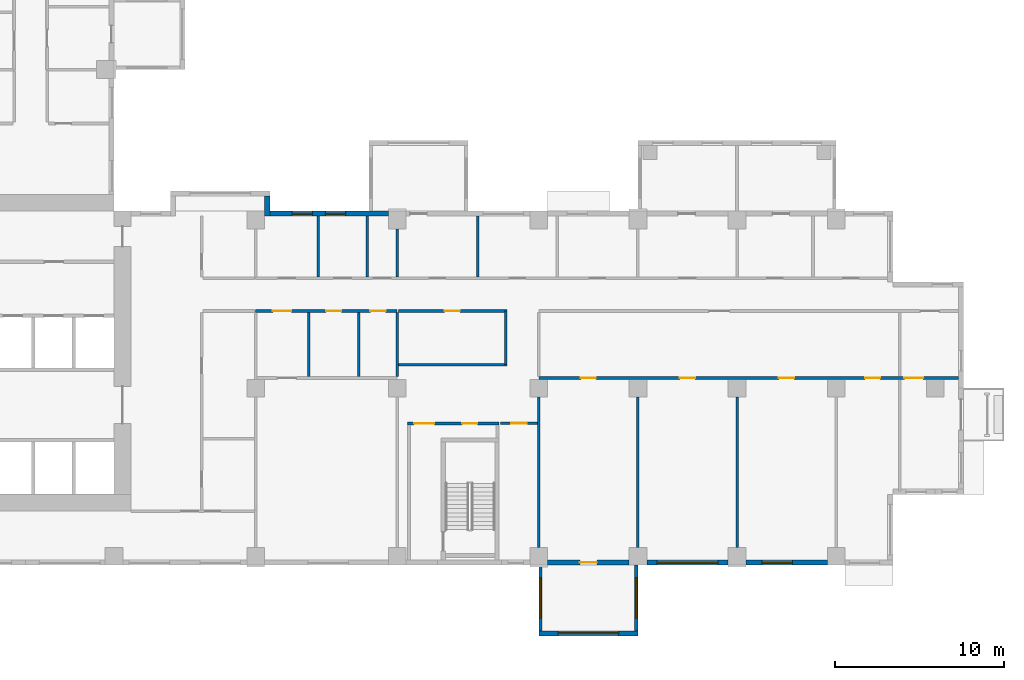
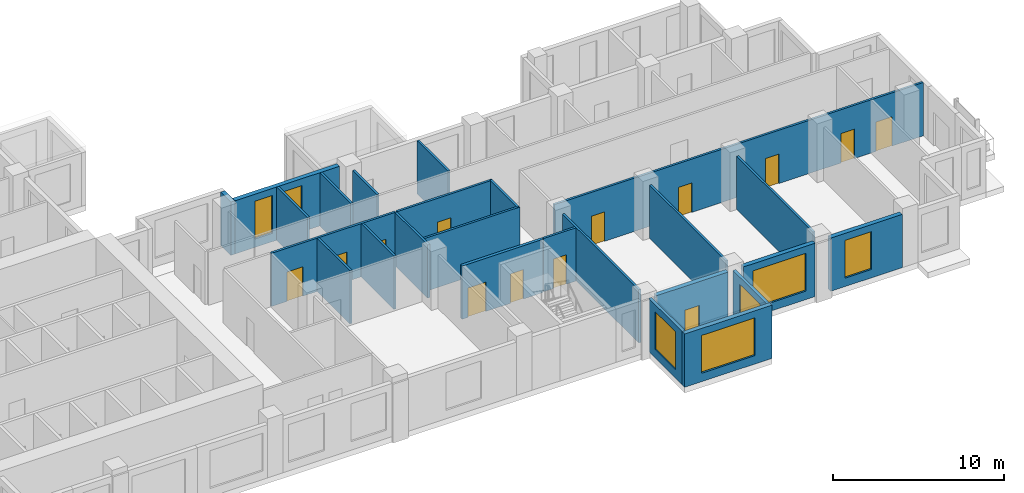
# One storey, part 6 of 16: 25 walls, 13 doors, 7 windows, 20 openings.
"""IFC4 building model written with IfcOpenShell, lengths in metres."""

from ifc_helpers import new_model, si_unit, direction, frame, frame_2d, origin, place, context, subcontext, project, spatial, rectangle, extrude, source, transform, mapped, material, layer, layer_set, type_object, element, fill, save


model = new_model("IFC4")

# Units and contexts
model_context = context("Model", 3, precision=1e-05, world=origin(), true_north=direction((0.0, 1.0)))
body_context = subcontext(model_context, "Body", "Model", "MODEL_VIEW")
ifc_project = project(units=[si_unit("LENGTHUNIT", "METRE"), si_unit("AREAUNIT", "SQUARE_METRE"), si_unit("VOLUMEUNIT", "CUBIC_METRE"), si_unit("PLANEANGLEUNIT", "RADIAN"), si_unit("MASSUNIT", "GRAM", prefix="KILO")], contexts=[model_context])

# Site, building, storey
site_placement = place(None, origin())
site = spatial("IfcSite", under=ifc_project, at=site_placement, CompositionType="ELEMENT")
building_placement = place(site_placement, origin())
building = spatial("IfcBuilding", under=site, at=building_placement, Name="Aurelian Terraces", CompositionType="ELEMENT")
storey_placement = place(building_placement, frame((0.0, 0.0, 124.5)))
storey = spatial("IfcBuildingStorey", under=building, at=storey_placement, Name="L27", CompositionType="ELEMENT", Elevation=124.5)

# Wall
ifc_material_1 = material(Name="Terracotta rainscreen cladding", Category="masonry")
ifc_layer_1 = layer(ifc_material_1, 0.3)
ifc_layer_set_1 = layer_set([ifc_layer_1], Name="EW-300")
wall_type_1 = type_object("IfcWallType", Name="EW-300", PredefinedType="STANDARD", material=ifc_layer_set_1)
shared_shape_1 = source(origin(), body_context, "Body", "SweptSolid", [
    extrude(rectangle(XDim=1.2, YDim=0.3, at=frame_2d((0.6, 0.0))), origin(), (0.0, 0.0, 1.0), 3.8),
])
wall_1_placement = place(storey_placement, frame((30.09, 20.7, 0.0), z_axis=(0.0, 0.0, 1.0), x_axis=(0.0, 1.0, 0.0)))
element("IfcWall", 1, at=wall_1_placement, inside=storey, type_object=wall_type_1, Name="Bay return L27 F07.22.1", PredefinedType="STANDARD", context=body_context, shape_type="MappedRepresentation", body=[
    mapped(shared_shape_1, transform((0.0, 0.0, 0.0), scale=1.0)),
])

# Wall, opening, window
ifc_material_2 = material(Name="Concrete fc' 40 MPa", Category="concrete")
ifc_layer_2 = layer(ifc_material_2, 0.2)
ifc_layer_set_2 = layer_set([ifc_layer_2], Name="BOX BEARING WALL 200")
wall_type_2 = type_object("IfcWallType", Name="BOX BEARING WALL 200", PredefinedType="SOLIDWALL", material=ifc_layer_set_2)
shared_shape_2 = source(origin(), body_context, "Body", "SweptSolid", [
    extrude(rectangle(XDim=3.9, YDim=0.2, at=frame_2d((1.95, 0.0))), origin(), (0.0, 0.0, 1.0), 3.8),
])
wall_2_placement = place(storey_placement, frame((46.3, 0.0, 0.0), z_axis=(0.0, 0.0, 1.0), x_axis=(0.0, -1.0, 0.0)))
wall_2 = element("IfcWall", 2, at=wall_2_placement, inside=storey, type_object=wall_type_2, Name="Box return L27 J36.1", PredefinedType="SOLIDWALL", context=body_context, shape_type="MappedRepresentation", body=[
    mapped(shared_shape_2, transform((0.0, 0.0, 0.0), scale=1.0)),
])
shared_shape_3 = source(origin(), body_context, "Body", "SweptSolid", [
    extrude(rectangle(XDim=2.4, YDim=2.7, at=frame_2d((1.2, 1.35))), frame((0.0, 0.11, 0.0), z_axis=(0.0, -1.0, 0.0), x_axis=(1.0, 0.0, 0.0)), (0.0, 0.0, 1.0), 0.22),
])
opening_1_placement = place(wall_2_placement, frame((0.75, 0.0, 0.6)))
opening_1 = element("IfcOpeningElement", 3, at=opening_1_placement, cuts=wall_2, Name="Opening W2427", PredefinedType="OPENING", context=body_context, shape_type="MappedRepresentation", body=[
    mapped(shared_shape_3, transform((0.0, 0.0, 0.0), scale=1.0)),
])
ifc_material_3 = material(Name="Clear glazing", Category="glass")
window_type_1 = type_object("IfcWindowType", Name="W-2400x2700", PartitioningType="SINGLE_PANEL", PredefinedType="WINDOW", material=ifc_material_3)
shared_shape_4 = source(origin(), body_context, "Body", "SweptSolid", [
    extrude(rectangle(XDim=2.4, YDim=2.7, at=frame_2d((1.2, 1.35))), frame((0.0, 0.03, 0.0), z_axis=(0.0, -1.0, 0.0), x_axis=(1.0, 0.0, 0.0)), (0.0, 0.0, 1.0), 0.06),
])
window_1_placement = place(opening_1_placement, origin())
window_1 = element("IfcWindow", 4, at=window_1_placement, inside=storey, type_object=window_type_1, Name="Window L27 J36-S1", OverallHeight=2.7, OverallWidth=2.4, PartitioningType="SINGLE_PANEL", PredefinedType="WINDOW", context=body_context, shape_type="MappedRepresentation", body=[
    mapped(shared_shape_4, transform((0.0, 0.0, 0.0), scale=1.0)),
])
fill(opening_1, window_1)

wall_3_placement = place(storey_placement, frame((51.98, 0.0, 0.0), z_axis=(0.0, 0.0, 1.0), x_axis=(0.0, -1.0, 0.0)))
wall_3 = element("IfcWall", 5, at=wall_3_placement, inside=storey, type_object=wall_type_2, Name="Box return L27 J36.2", PredefinedType="SOLIDWALL", context=body_context, shape_type="MappedRepresentation", body=[
    mapped(shared_shape_2, transform((0.0, 0.0, 0.0), scale=1.0)),
])
opening_2_placement = place(wall_3_placement, frame((0.75, 0.0, 0.6)))
opening_2 = element("IfcOpeningElement", 6, at=opening_2_placement, cuts=wall_3, Name="Opening W2427", PredefinedType="OPENING", context=body_context, shape_type="MappedRepresentation", body=[
    mapped(shared_shape_3, transform((0.0, 0.0, 0.0), scale=1.0)),
])
window_2_placement = place(opening_2_placement, origin())
window_2 = element("IfcWindow", 7, at=window_2_placement, inside=storey, type_object=window_type_1, Name="Window L27 J36-S2", OverallHeight=2.7, OverallWidth=2.4, PartitioningType="SINGLE_PANEL", PredefinedType="WINDOW", context=body_context, shape_type="MappedRepresentation", body=[
    mapped(shared_shape_4, transform((0.0, 0.0, 0.0), scale=1.0)),
])
fill(opening_2, window_2)

ifc_layer_3 = layer(ifc_material_2, 0.3)
ifc_layer_set_3 = layer_set([ifc_layer_3], Name="BOX BEARING WALL 300")
wall_type_3 = type_object("IfcWallType", Name="BOX BEARING WALL 300", PredefinedType="SOLIDWALL", material=ifc_layer_set_3)
shared_shape_5 = source(origin(), body_context, "Body", "SweptSolid", [
    extrude(rectangle(XDim=5.88, YDim=0.3, at=frame_2d((2.94, 0.0))), origin(), (0.0, 0.0, 1.0), 3.8),
])
wall_4_placement = place(storey_placement, frame((46.2, -4.05, 0.0), z_axis=(0.0, 0.0, 1.0), x_axis=(1.0, 0.0, 0.0)))
wall_4 = element("IfcWall", 8, at=wall_4_placement, inside=storey, type_object=wall_type_3, Name="Box wall L27 J36", PredefinedType="SOLIDWALL", context=body_context, shape_type="MappedRepresentation", body=[
    mapped(shared_shape_5, transform((0.0, 0.0, 0.0), scale=1.0)),
])
shared_shape_6 = source(origin(), body_context, "Body", "SweptSolid", [
    extrude(rectangle(XDim=3.6, YDim=2.7, at=frame_2d((1.8, 1.35))), frame((0.0, 0.16, 0.0), z_axis=(0.0, -1.0, 0.0), x_axis=(1.0, 0.0, 0.0)), (0.0, 0.0, 1.0), 0.32),
])
opening_3_placement = place(wall_4_placement, frame((1.14, 0.0, 0.6)))
opening_3 = element("IfcOpeningElement", 9, at=opening_3_placement, cuts=wall_4, Name="Opening W3627", PredefinedType="OPENING", context=body_context, shape_type="MappedRepresentation", body=[
    mapped(shared_shape_6, transform((0.0, 0.0, 0.0), scale=1.0)),
])
window_type_2 = type_object("IfcWindowType", Name="W-3600x2700", PartitioningType="SINGLE_PANEL", PredefinedType="WINDOW", material=ifc_material_3)
shared_shape_7 = source(origin(), body_context, "Body", "SweptSolid", [
    extrude(rectangle(XDim=3.6, YDim=2.7, at=frame_2d((1.8, 1.35))), frame((0.0, 0.03, 0.0), z_axis=(0.0, -1.0, 0.0), x_axis=(1.0, 0.0, 0.0)), (0.0, 0.0, 1.0), 0.06),
])
window_3_placement = place(opening_3_placement, origin())
window_3 = element("IfcWindow", 10, at=window_3_placement, inside=storey, type_object=window_type_2, Name="Window L27 J36-F1", OverallHeight=2.7, OverallWidth=3.6, PartitioningType="SINGLE_PANEL", PredefinedType="WINDOW", context=body_context, shape_type="MappedRepresentation", body=[
    mapped(shared_shape_7, transform((0.0, 0.0, 0.0), scale=1.0)),
])
fill(opening_3, window_3)

# Wall, opening, door
shared_shape_8 = source(origin(), body_context, "Body", "SweptSolid", [
    extrude(rectangle(XDim=4.83, YDim=0.3, at=frame_2d((2.415, 0.0))), origin(), (0.0, 0.0, 1.0), 3.8),
])
wall_5_placement = place(storey_placement, frame((46.725, 0.15, 0.0), z_axis=(0.0, 0.0, 1.0), x_axis=(1.0, 0.0, 0.0)))
wall_5 = element("IfcWall", 11, at=wall_5_placement, inside=storey, type_object=wall_type_1, Name="External wall L27 F01.8", PredefinedType="STANDARD", context=body_context, shape_type="MappedRepresentation", body=[
    mapped(shared_shape_8, transform((0.0, 0.0, 0.0), scale=1.0)),
])
shared_shape_9 = source(origin(), body_context, "Body", "SweptSolid", [
    extrude(rectangle(XDim=1.0, YDim=2.1, at=frame_2d((0.5, 1.05))), frame((0.0, 0.16, 0.0), z_axis=(0.0, -1.0, 0.0), x_axis=(1.0, 0.0, 0.0)), (0.0, 0.0, 1.0), 0.32),
])
opening_4_placement = place(wall_5_placement, frame((1.915, 0.0, 0.0)))
opening_4 = element("IfcOpeningElement", 12, at=opening_4_placement, cuts=wall_5, Name="Opening 827001", PredefinedType="OPENING", context=body_context, shape_type="MappedRepresentation", body=[
    mapped(shared_shape_9, transform((0.0, 0.0, 0.0), scale=1.0)),
])
ifc_material_4 = material(Name="Timber door leaf", Category="wood")
door_type_1 = type_object("IfcDoorType", Name="Room door 1000x2100 left", OperationType="SINGLE_SWING_LEFT", PredefinedType="DOOR", material=ifc_material_4)
shared_shape_10 = source(origin(), body_context, "Body", "SweptSolid", [
    extrude(rectangle(XDim=1.0, YDim=2.1, at=frame_2d((0.5, 1.05))), frame((0.0, 0.025, 0.0), z_axis=(0.0, -1.0, 0.0), x_axis=(1.0, 0.0, 0.0)), (0.0, 0.0, 1.0), 0.05),
])
door_1_placement = place(opening_4_placement, origin())
door_1 = element("IfcDoor", 13, at=door_1_placement, inside=storey, type_object=door_type_1, Name="Door 827001", OperationType="SINGLE_SWING_LEFT", OverallHeight=2.1, OverallWidth=1.0, PredefinedType="DOOR", context=body_context, shape_type="MappedRepresentation", body=[
    mapped(shared_shape_10, transform((0.0, 0.0, 0.0), scale=1.0)),
])
fill(opening_4, door_1)

# Wall, opening, window
wall_6_placement = place(storey_placement, frame((52.605, 0.15, 0.0), z_axis=(0.0, 0.0, 1.0), x_axis=(1.0, 0.0, 0.0)))
wall_6 = element("IfcWall", 14, at=wall_6_placement, inside=storey, type_object=wall_type_1, Name="External wall L27 F01.9", PredefinedType="STANDARD", context=body_context, shape_type="MappedRepresentation", body=[
    mapped(shared_shape_8, transform((0.0, 0.0, 0.0), scale=1.0)),
])
opening_5_placement = place(wall_6_placement, frame((0.615, 0.0, 0.6)))
opening_5 = element("IfcOpeningElement", 15, at=opening_5_placement, cuts=wall_6, Name="Opening W3627", PredefinedType="OPENING", context=body_context, shape_type="MappedRepresentation", body=[
    mapped(shared_shape_6, transform((0.0, 0.0, 0.0), scale=1.0)),
])
window_4_placement = place(opening_5_placement, origin())
window_4 = element("IfcWindow", 16, at=window_4_placement, inside=storey, type_object=window_type_2, Name="Window L27 L27-F01-09-0", OverallHeight=2.7, OverallWidth=3.6, PartitioningType="SINGLE_PANEL", PredefinedType="WINDOW", context=body_context, shape_type="MappedRepresentation", body=[
    mapped(shared_shape_7, transform((0.0, 0.0, 0.0), scale=1.0)),
])
fill(opening_5, window_4)

wall_7_placement = place(storey_placement, frame((58.485, 0.15, 0.0), z_axis=(0.0, 0.0, 1.0), x_axis=(1.0, 0.0, 0.0)))
wall_7 = element("IfcWall", 17, at=wall_7_placement, inside=storey, type_object=wall_type_1, Name="External wall L27 F01.10", PredefinedType="STANDARD", context=body_context, shape_type="MappedRepresentation", body=[
    mapped(shared_shape_8, transform((0.0, 0.0, 0.0), scale=1.0)),
])
shared_shape_11 = source(origin(), body_context, "Body", "SweptSolid", [
    extrude(rectangle(XDim=1.8, YDim=2.7, at=frame_2d((0.9, 1.35))), frame((0.0, 0.16, 0.0), z_axis=(0.0, -1.0, 0.0), x_axis=(1.0, 0.0, 0.0)), (0.0, 0.0, 1.0), 0.32),
])
opening_6_placement = place(wall_7_placement, frame((0.9525, 0.0, 0.6)))
opening_6 = element("IfcOpeningElement", 18, at=opening_6_placement, cuts=wall_7, Name="Opening W1827", PredefinedType="OPENING", context=body_context, shape_type="MappedRepresentation", body=[
    mapped(shared_shape_11, transform((0.0, 0.0, 0.0), scale=1.0)),
])
window_type_3 = type_object("IfcWindowType", Name="W-1800x2700", PartitioningType="SINGLE_PANEL", PredefinedType="WINDOW", material=ifc_material_3)
shared_shape_12 = source(origin(), body_context, "Body", "SweptSolid", [
    extrude(rectangle(XDim=1.8, YDim=2.7, at=frame_2d((0.9, 1.35))), frame((0.0, 0.03, 0.0), z_axis=(0.0, -1.0, 0.0), x_axis=(1.0, 0.0, 0.0)), (0.0, 0.0, 1.0), 0.06),
])
window_5_placement = place(opening_6_placement, origin())
window_5 = element("IfcWindow", 19, at=window_5_placement, inside=storey, type_object=window_type_3, Name="Window L27 L27-F01-10-0", OverallHeight=2.7, OverallWidth=1.8, PartitioningType="SINGLE_PANEL", PredefinedType="WINDOW", context=body_context, shape_type="MappedRepresentation", body=[
    mapped(shared_shape_12, transform((0.0, 0.0, 0.0), scale=1.0)),
])
fill(opening_6, window_5)

# Wall, openings, windows
shared_shape_13 = source(origin(), body_context, "Body", "SweptSolid", [
    extrude(rectangle(XDim=7.035, YDim=0.3, at=frame_2d((3.5175, 0.0))), origin(), (0.0, 0.0, 1.0), 3.8),
])
wall_8_placement = place(storey_placement, frame((37.275, 20.85, 0.0), z_axis=(0.0, 0.0, 1.0), x_axis=(-1.0, 0.0, 0.0)))
wall_8 = element("IfcWall", 20, at=wall_8_placement, inside=storey, type_object=wall_type_1, Name="External wall L27 F07.21", PredefinedType="STANDARD", context=body_context, shape_type="MappedRepresentation", body=[
    mapped(shared_shape_13, transform((0.0, 0.0, 0.0), scale=1.0)),
])
shared_shape_14 = source(origin(), body_context, "Body", "SweptSolid", [
    extrude(rectangle(XDim=1.2, YDim=2.7, at=frame_2d((0.6, 1.35))), frame((0.0, 0.16, 0.0), z_axis=(0.0, -1.0, 0.0), x_axis=(1.0, 0.0, 0.0)), (0.0, 0.0, 1.0), 0.32),
])
opening_7_placement = place(wall_8_placement, frame((2.541, 0.0, 0.6)))
opening_7 = element("IfcOpeningElement", 21, at=opening_7_placement, cuts=wall_8, Name="Opening W1227", PredefinedType="OPENING", context=body_context, shape_type="MappedRepresentation", body=[
    mapped(shared_shape_14, transform((0.0, 0.0, 0.0), scale=1.0)),
])
opening_8_placement = place(wall_8_placement, frame((4.516, 0.0, 0.6)))
opening_8 = element("IfcOpeningElement", 22, at=opening_8_placement, cuts=wall_8, Name="Opening W1227", PredefinedType="OPENING", context=body_context, shape_type="MappedRepresentation", body=[
    mapped(shared_shape_14, transform((0.0, 0.0, 0.0), scale=1.0)),
])
window_type_4 = type_object("IfcWindowType", Name="W-1200x2700", PartitioningType="SINGLE_PANEL", PredefinedType="WINDOW", material=ifc_material_3)
shared_shape_15 = source(origin(), body_context, "Body", "SweptSolid", [
    extrude(rectangle(XDim=1.2, YDim=2.7, at=frame_2d((0.6, 1.35))), frame((0.0, 0.03, 0.0), z_axis=(0.0, -1.0, 0.0), x_axis=(1.0, 0.0, 0.0)), (0.0, 0.0, 1.0), 0.06),
])
window_6_placement = place(opening_7_placement, origin())
window_6 = element("IfcWindow", 23, at=window_6_placement, inside=storey, type_object=window_type_4, Name="Window L27 L27-F07-21-2.1", OverallHeight=2.7, OverallWidth=1.2, PartitioningType="SINGLE_PANEL", PredefinedType="WINDOW", context=body_context, shape_type="MappedRepresentation", body=[
    mapped(shared_shape_15, transform((0.0, 0.0, 0.0), scale=1.0)),
])
fill(opening_7, window_6)
window_7_placement = place(opening_8_placement, origin())
window_7 = element("IfcWindow", 24, at=window_7_placement, inside=storey, type_object=window_type_4, Name="Window L27 L27-F07-21-2.2", OverallHeight=2.7, OverallWidth=1.2, PartitioningType="SINGLE_PANEL", PredefinedType="WINDOW", context=body_context, shape_type="MappedRepresentation", body=[
    mapped(shared_shape_15, transform((0.0, 0.0, 0.0), scale=1.0)),
])
fill(opening_8, window_7)

# Wall, openings, doors
ifc_material_5 = material(Name="Gypsum board on steel studs", Category="steel")
ifc_layer_4 = layer(ifc_material_5, 0.2)
ifc_layer_set_4 = layer_set([ifc_layer_4], Name="Core partition 200")
wall_type_4 = type_object("IfcWallType", Name="Core partition 200", PredefinedType="PARTITIONING", material=ifc_layer_set_4)
shared_shape_16 = source(origin(), body_context, "Body", "SweptSolid", [
    extrude(rectangle(XDim=5.45, YDim=0.2, at=frame_2d((2.725, 0.0))), origin(), (0.0, 0.0, 1.0), 3.8),
])
wall_9_placement = place(storey_placement, frame((38.4, 8.4, 0.0), z_axis=(0.0, 0.0, 1.0), x_axis=(1.0, 0.0, 0.0)))
wall_9 = element("IfcWall", 25, at=wall_9_placement, inside=storey, type_object=wall_type_4, Name="L27 core wall ST-S2-BN", PredefinedType="PARTITIONING", context=body_context, shape_type="MappedRepresentation", body=[
    mapped(shared_shape_16, transform((0.0, 0.0, 0.0), scale=1.0)),
])
shared_shape_17 = source(origin(), body_context, "Body", "SweptSolid", [
    extrude(rectangle(XDim=1.2, YDim=2.1, at=frame_2d((0.6, 1.05))), frame((0.0, 0.11, 0.0), z_axis=(0.0, -1.0, 0.0), x_axis=(1.0, 0.0, 0.0)), (0.0, 0.0, 1.0), 0.22),
])
opening_9_placement = place(wall_9_placement, frame((0.4, 0.0, 0.0)))
opening_9 = element("IfcOpeningElement", 26, at=opening_9_placement, cuts=wall_9, Name="Opening 63015", PredefinedType="OPENING", context=body_context, shape_type="MappedRepresentation", body=[
    mapped(shared_shape_17, transform((0.0, 0.0, 0.0), scale=1.0)),
])
shared_shape_18 = source(origin(), body_context, "Body", "SweptSolid", [
    extrude(rectangle(XDim=0.9, YDim=2.1, at=frame_2d((0.45, 1.05))), frame((0.0, 0.11, 0.0), z_axis=(0.0, -1.0, 0.0), x_axis=(1.0, 0.0, 0.0)), (0.0, 0.0, 1.0), 0.22),
])
opening_10_placement = place(wall_9_placement, frame((3.25, 0.0, 0.0)))
opening_10 = element("IfcOpeningElement", 27, at=opening_10_placement, cuts=wall_9, Name="Opening 63016", PredefinedType="OPENING", context=body_context, shape_type="MappedRepresentation", body=[
    mapped(shared_shape_18, transform((0.0, 0.0, 0.0), scale=1.0)),
])
ifc_material_6 = material(Name="Steel door leaf", Category="steel")
door_type_2 = type_object("IfcDoorType", Name="Core riser door 900x2100", OperationType="SINGLE_SWING_LEFT", PredefinedType="DOOR", material=ifc_material_6)
shared_shape_19 = source(origin(), body_context, "Body", "SweptSolid", [
    extrude(rectangle(XDim=0.9, YDim=2.1, at=frame_2d((0.45, 1.05))), frame((0.0, 0.025, 0.0), z_axis=(0.0, -1.0, 0.0), x_axis=(1.0, 0.0, 0.0)), (0.0, 0.0, 1.0), 0.05),
])
door_2_placement = place(opening_10_placement, origin())
door_2 = element("IfcDoor", 28, at=door_2_placement, inside=storey, type_object=door_type_2, Name="Riser door 63016", OperationType="SINGLE_SWING_LEFT", OverallHeight=2.1, OverallWidth=0.9, PredefinedType="DOOR", context=body_context, shape_type="MappedRepresentation", body=[
    mapped(shared_shape_19, transform((0.0, 0.0, 0.0), scale=1.0)),
])
fill(opening_10, door_2)
door_type_3 = type_object("IfcDoorType", Name="Core fire door 1200x2100 right", OperationType="SINGLE_SWING_RIGHT", PredefinedType="DOOR", material=ifc_material_6)
shared_shape_20 = source(origin(), body_context, "Body", "SweptSolid", [
    extrude(rectangle(XDim=1.2, YDim=2.1, at=frame_2d((0.6, 1.05))), frame((0.0, 0.025, 0.0), z_axis=(0.0, -1.0, 0.0), x_axis=(1.0, 0.0, 0.0)), (0.0, 0.0, 1.0), 0.05),
])
door_3_placement = place(opening_9_placement, origin())
door_3 = element("IfcDoor", 29, at=door_3_placement, inside=storey, type_object=door_type_3, Name="Vestibule door 63015", OperationType="SINGLE_SWING_RIGHT", OverallHeight=2.1, OverallWidth=1.2, PredefinedType="DOOR", context=body_context, shape_type="MappedRepresentation", body=[
    mapped(shared_shape_20, transform((0.0, 0.0, 0.0), scale=1.0)),
])
fill(opening_9, door_3)

# Wall
ifc_layer_5 = layer(ifc_material_5, 0.15)
ifc_layer_set_5 = layer_set([ifc_layer_5], Name="Partition 150")
wall_type_5 = type_object("IfcWallType", Name="Partition 150", PredefinedType="PARTITIONING", material=ifc_layer_set_5)
shared_shape_21 = source(origin(), body_context, "Body", "SweptSolid", [
    extrude(rectangle(XDim=6.45, YDim=0.15, at=frame_2d((3.225, 0.0))), origin(), (0.0, 0.0, 1.0), 3.8),
])
wall_10_placement = place(storey_placement, frame((37.875, 11.9, 0.0), z_axis=(0.0, 0.0, 1.0), x_axis=(1.0, 0.0, 0.0)))
element("IfcWall", 30, at=wall_10_placement, inside=storey, type_object=wall_type_5, Name="Partition", PredefinedType="PARTITIONING", context=body_context, shape_type="MappedRepresentation", body=[
    mapped(shared_shape_21, transform((0.0, 0.0, 0.0), scale=1.0)),
])

# Wall, opening, door
ifc_layer_6 = layer(ifc_material_5, 0.15)
ifc_layer_set_6 = layer_set([ifc_layer_6], Name="Fire partition 150")
wall_type_6 = type_object("IfcWallType", Name="Fire partition 150", PredefinedType="PARTITIONING", material=ifc_layer_set_6)
wall_11_placement = place(storey_placement, frame((44.325, 15.075, 0.0), z_axis=(0.0, 0.0, 1.0), x_axis=(-1.0, 0.0, 0.0)))
wall_11 = element("IfcWall", 31, at=wall_11_placement, inside=storey, type_object=wall_type_6, Name="Corridor wall", PredefinedType="PARTITIONING", context=body_context, shape_type="MappedRepresentation", body=[
    mapped(shared_shape_21, transform((0.0, 0.0, 0.0), scale=1.0)),
])
shared_shape_22 = source(origin(), body_context, "Body", "SweptSolid", [
    extrude(rectangle(XDim=0.9, YDim=2.1, at=frame_2d((0.45, 1.05))), frame((0.0, 0.085, 0.0), z_axis=(0.0, -1.0, 0.0), x_axis=(1.0, 0.0, 0.0)), (0.0, 0.0, 1.0), 0.17),
])
opening_11_placement = place(wall_11_placement, frame((2.8125, 0.0, 0.0)))
opening_11 = element("IfcOpeningElement", 32, at=opening_11_placement, cuts=wall_11, Name="Opening 727005", PredefinedType="OPENING", context=body_context, shape_type="MappedRepresentation", body=[
    mapped(shared_shape_22, transform((0.0, 0.0, 0.0), scale=1.0)),
])
door_type_4 = type_object("IfcDoorType", Name="Room door 900x2100 right", OperationType="SINGLE_SWING_RIGHT", PredefinedType="DOOR", material=ifc_material_4)
door_4_placement = place(opening_11_placement, origin())
door_4 = element("IfcDoor", 33, at=door_4_placement, inside=storey, type_object=door_type_4, Name="Door 727005", OperationType="SINGLE_SWING_RIGHT", OverallHeight=2.1, OverallWidth=0.9, PredefinedType="DOOR", context=body_context, shape_type="MappedRepresentation", body=[
    mapped(shared_shape_19, transform((0.0, 0.0, 0.0), scale=1.0)),
])
fill(opening_11, door_4)

# Walls
shared_shape_23 = source(origin(), body_context, "Body", "SweptSolid", [
    extrude(rectangle(XDim=3.6, YDim=0.15, at=frame_2d((1.8, 0.0))), origin(), (0.0, 0.0, 1.0), 3.8),
])
for number, where, z_axis, x_axis, name in (
    (34, (33.1133, 20.7, 0.0), (0.0, 0.0, 1.0), (0.0, -1.0, 0.0), "Partition"),
    (35, (36.024, 20.7, 0.0), (0.0, 0.0, 1.0), (0.0, -1.0, 0.0), "Partition"),
    (36, (42.585, 20.7, 0.0), (0.0, 0.0, 1.0), (0.0, -1.0, 0.0), "Partition"),
):
    element("IfcWall", number, at=place(storey_placement, frame(where, z_axis=z_axis, x_axis=x_axis)), inside=storey, type_object=wall_type_5, Name=name, PredefinedType="PARTITIONING", context=body_context, shape_type="MappedRepresentation", body=[
        mapped(shared_shape_23, transform((0.0, 0.0, 0.0), scale=1.0)),
    ])

# Wall, openings, doors
shared_shape_24 = source(origin(), body_context, "Body", "SweptSolid", [
    extrude(rectangle(XDim=8.4, YDim=0.15, at=frame_2d((4.2, 0.0))), origin(), (0.0, 0.0, 1.0), 3.8),
])
wall_12_placement = place(storey_placement, frame((37.8, 15.075, 0.0), z_axis=(0.0, 0.0, 1.0), x_axis=(-1.0, 0.0, 0.0)))
wall_12 = element("IfcWall", 37, at=wall_12_placement, inside=storey, type_object=wall_type_6, Name="Corridor wall", PredefinedType="PARTITIONING", context=body_context, shape_type="MappedRepresentation", body=[
    mapped(shared_shape_24, transform((0.0, 0.0, 0.0), scale=1.0)),
])
shared_shape_25 = source(origin(), body_context, "Body", "SweptSolid", [
    extrude(rectangle(XDim=1.1, YDim=2.1, at=frame_2d((0.55, 1.05))), frame((0.0, 0.085, 0.0), z_axis=(0.0, -1.0, 0.0), x_axis=(1.0, 0.0, 0.0)), (0.0, 0.0, 1.0), 0.17),
])
opening_12_placement = place(wall_12_placement, frame((6.2742, 0.0, 0.0)))
opening_12 = element("IfcOpeningElement", 38, at=opening_12_placement, cuts=wall_12, Name="Opening 727007", PredefinedType="OPENING", context=body_context, shape_type="MappedRepresentation", body=[
    mapped(shared_shape_25, transform((0.0, 0.0, 0.0), scale=1.0)),
])
opening_13_placement = place(wall_12_placement, frame((3.3128, 0.0, 0.0)))
opening_13 = element("IfcOpeningElement", 39, at=opening_13_placement, cuts=wall_12, Name="Opening 727009", PredefinedType="OPENING", context=body_context, shape_type="MappedRepresentation", body=[
    mapped(shared_shape_22, transform((0.0, 0.0, 0.0), scale=1.0)),
])
opening_14_placement = place(wall_12_placement, frame((0.6885, 0.0, 0.0)))
opening_14 = element("IfcOpeningElement", 40, at=opening_14_placement, cuts=wall_12, Name="Opening 727010", PredefinedType="OPENING", context=body_context, shape_type="MappedRepresentation", body=[
    mapped(shared_shape_22, transform((0.0, 0.0, 0.0), scale=1.0)),
])
door_type_5 = type_object("IfcDoorType", Name="Room door 900x2100 left", OperationType="SINGLE_SWING_LEFT", PredefinedType="DOOR", material=ifc_material_4)
door_5_placement = place(opening_13_placement, origin())
door_5 = element("IfcDoor", 41, at=door_5_placement, inside=storey, type_object=door_type_5, Name="Door 727009", OperationType="SINGLE_SWING_LEFT", OverallHeight=2.1, OverallWidth=0.9, PredefinedType="DOOR", context=body_context, shape_type="MappedRepresentation", body=[
    mapped(shared_shape_19, transform((0.0, 0.0, 0.0), scale=1.0)),
])
fill(opening_13, door_5)
door_6_placement = place(opening_14_placement, origin())
door_6 = element("IfcDoor", 42, at=door_6_placement, inside=storey, type_object=door_type_4, Name="Door 727010", OperationType="SINGLE_SWING_RIGHT", OverallHeight=2.1, OverallWidth=0.9, PredefinedType="DOOR", context=body_context, shape_type="MappedRepresentation", body=[
    mapped(shared_shape_19, transform((0.0, 0.0, 0.0), scale=1.0)),
])
fill(opening_14, door_6)
door_type_6 = type_object("IfcDoorType", Name="Room door 1100x2100 left", OperationType="SINGLE_SWING_LEFT", PredefinedType="DOOR", material=ifc_material_4)
shared_shape_26 = source(origin(), body_context, "Body", "SweptSolid", [
    extrude(rectangle(XDim=1.1, YDim=2.1, at=frame_2d((0.55, 1.05))), frame((0.0, 0.025, 0.0), z_axis=(0.0, -1.0, 0.0), x_axis=(1.0, 0.0, 0.0)), (0.0, 0.0, 1.0), 0.05),
])
door_7_placement = place(opening_12_placement, origin())
door_7 = element("IfcDoor", 43, at=door_7_placement, inside=storey, type_object=door_type_6, Name="Door 727007", OperationType="SINGLE_SWING_LEFT", OverallHeight=2.1, OverallWidth=1.1, PredefinedType="DOOR", context=body_context, shape_type="MappedRepresentation", body=[
    mapped(shared_shape_26, transform((0.0, 0.0, 0.0), scale=1.0)),
])
fill(opening_12, door_7)

shared_shape_27 = source(origin(), body_context, "Body", "SweptSolid", [
    extrude(rectangle(XDim=24.9, YDim=0.15, at=frame_2d((12.45, 0.0))), origin(), (0.0, 0.0, 1.0), 3.8),
])
wall_13_placement = place(storey_placement, frame((71.1, 11.1, 0.0), z_axis=(0.0, 0.0, 1.0), x_axis=(-1.0, 0.0, 0.0)))
wall_13 = element("IfcWall", 44, at=wall_13_placement, inside=storey, type_object=wall_type_5, Name="Partition", PredefinedType="PARTITIONING", context=body_context, shape_type="MappedRepresentation", body=[
    mapped(shared_shape_27, transform((0.0, 0.0, 0.0), scale=1.0)),
])
opening_15_placement = place(wall_13_placement, frame((21.51, 0.0, 0.0)))
opening_15 = element("IfcOpeningElement", 45, at=opening_15_placement, cuts=wall_13, Name="Opening 727012", PredefinedType="OPENING", context=body_context, shape_type="MappedRepresentation", body=[
    mapped(shared_shape_22, transform((0.0, 0.0, 0.0), scale=1.0)),
])
opening_16_placement = place(wall_13_placement, frame((15.63, 0.0, 0.0)))
opening_16 = element("IfcOpeningElement", 46, at=opening_16_placement, cuts=wall_13, Name="Opening 727013", PredefinedType="OPENING", context=body_context, shape_type="MappedRepresentation", body=[
    mapped(shared_shape_22, transform((0.0, 0.0, 0.0), scale=1.0)),
])
opening_17_placement = place(wall_13_placement, frame((9.75, 0.0, 0.0)))
opening_17 = element("IfcOpeningElement", 47, at=opening_17_placement, cuts=wall_13, Name="Opening 727014", PredefinedType="OPENING", context=body_context, shape_type="MappedRepresentation", body=[
    mapped(shared_shape_22, transform((0.0, 0.0, 0.0), scale=1.0)),
])
opening_18_placement = place(wall_13_placement, frame((4.645, 0.0, 0.0)))
opening_18 = element("IfcOpeningElement", 48, at=opening_18_placement, cuts=wall_13, Name="Opening 727015", PredefinedType="OPENING", context=body_context, shape_type="MappedRepresentation", body=[
    mapped(shared_shape_22, transform((0.0, 0.0, 0.0), scale=1.0)),
])
opening_19_placement = place(wall_13_placement, frame((2.105, 0.0, 0.0)))
opening_19 = element("IfcOpeningElement", 49, at=opening_19_placement, cuts=wall_13, Name="Opening 727017", PredefinedType="OPENING", context=body_context, shape_type="MappedRepresentation", body=[
    mapped(shared_shape_25, transform((0.0, 0.0, 0.0), scale=1.0)),
])
door_8_placement = place(opening_15_placement, origin())
door_8 = element("IfcDoor", 50, at=door_8_placement, inside=storey, type_object=door_type_4, Name="Door 727012", OperationType="SINGLE_SWING_RIGHT", OverallHeight=2.1, OverallWidth=0.9, PredefinedType="DOOR", context=body_context, shape_type="MappedRepresentation", body=[
    mapped(shared_shape_19, transform((0.0, 0.0, 0.0), scale=1.0)),
])
fill(opening_15, door_8)
door_9_placement = place(opening_16_placement, origin())
door_9 = element("IfcDoor", 51, at=door_9_placement, inside=storey, type_object=door_type_5, Name="Door 727013", OperationType="SINGLE_SWING_LEFT", OverallHeight=2.1, OverallWidth=0.9, PredefinedType="DOOR", context=body_context, shape_type="MappedRepresentation", body=[
    mapped(shared_shape_19, transform((0.0, 0.0, 0.0), scale=1.0)),
])
fill(opening_16, door_9)
door_10_placement = place(opening_17_placement, origin())
door_10 = element("IfcDoor", 52, at=door_10_placement, inside=storey, type_object=door_type_4, Name="Door 727014", OperationType="SINGLE_SWING_RIGHT", OverallHeight=2.1, OverallWidth=0.9, PredefinedType="DOOR", context=body_context, shape_type="MappedRepresentation", body=[
    mapped(shared_shape_19, transform((0.0, 0.0, 0.0), scale=1.0)),
])
fill(opening_17, door_10)
door_11_placement = place(opening_18_placement, origin())
door_11 = element("IfcDoor", 53, at=door_11_placement, inside=storey, type_object=door_type_5, Name="Door 727015", OperationType="SINGLE_SWING_LEFT", OverallHeight=2.1, OverallWidth=0.9, PredefinedType="DOOR", context=body_context, shape_type="MappedRepresentation", body=[
    mapped(shared_shape_19, transform((0.0, 0.0, 0.0), scale=1.0)),
])
fill(opening_18, door_11)
door_type_7 = type_object("IfcDoorType", Name="Room door 1100x2100 right", OperationType="SINGLE_SWING_RIGHT", PredefinedType="DOOR", material=ifc_material_4)
door_12_placement = place(opening_19_placement, origin())
door_12 = element("IfcDoor", 54, at=door_12_placement, inside=storey, type_object=door_type_7, Name="Door 727017", OperationType="SINGLE_SWING_RIGHT", OverallHeight=2.1, OverallWidth=1.1, PredefinedType="DOOR", context=body_context, shape_type="MappedRepresentation", body=[
    mapped(shared_shape_26, transform((0.0, 0.0, 0.0), scale=1.0)),
])
fill(opening_19, door_12)

# Wall, opening, door
shared_shape_28 = source(origin(), body_context, "Body", "SweptSolid", [
    extrude(rectangle(XDim=2.2, YDim=0.15, at=frame_2d((1.1, 0.0))), origin(), (0.0, 0.0, 1.0), 3.8),
])
wall_14_placement = place(storey_placement, frame((46.125, 8.425, 0.0), z_axis=(0.0, 0.0, 1.0), x_axis=(-1.0, 0.0, 0.0)))
wall_14 = element("IfcWall", 55, at=wall_14_placement, inside=storey, type_object=wall_type_5, Name="Partition", PredefinedType="PARTITIONING", context=body_context, shape_type="MappedRepresentation", body=[
    mapped(shared_shape_28, transform((0.0, 0.0, 0.0), scale=1.0)),
])
opening_20_placement = place(wall_14_placement, frame((0.65, 0.0, 0.0)))
opening_20 = element("IfcOpeningElement", 56, at=opening_20_placement, cuts=wall_14, Name="Opening 727006", PredefinedType="OPENING", context=body_context, shape_type="MappedRepresentation", body=[
    mapped(shared_shape_22, transform((0.0, 0.0, 0.0), scale=1.0)),
])
door_13_placement = place(opening_20_placement, origin())
door_13 = element("IfcDoor", 57, at=door_13_placement, inside=storey, type_object=door_type_4, Name="Door 727006", OperationType="SINGLE_SWING_RIGHT", OverallHeight=2.1, OverallWidth=0.9, PredefinedType="DOOR", context=body_context, shape_type="MappedRepresentation", body=[
    mapped(shared_shape_19, transform((0.0, 0.0, 0.0), scale=1.0)),
])
fill(opening_20, door_13)

# Walls
shared_shape_29 = source(origin(), body_context, "Body", "SweptSolid", [
    extrude(rectangle(XDim=3.175, YDim=0.15, at=frame_2d((1.5875, 0.0))), origin(), (0.0, 0.0, 1.0), 3.8),
])
wall_15_placement = place(storey_placement, frame((44.25, 11.9, 0.0), z_axis=(0.0, 0.0, 1.0), x_axis=(0.0, 1.0, 0.0)))
element("IfcWall", 58, at=wall_15_placement, inside=storey, type_object=wall_type_5, Name="Partition", PredefinedType="PARTITIONING", context=body_context, shape_type="MappedRepresentation", body=[
    mapped(shared_shape_29, transform((0.0, 0.0, 0.0), scale=1.0)),
])
shared_shape_30 = source(origin(), body_context, "Body", "SweptSolid", [
    extrude(rectangle(XDim=3.825, YDim=0.15, at=frame_2d((1.9125, 0.0))), origin(), (0.0, 0.0, 1.0), 3.8),
])
for number, where, z_axis, x_axis, name in (
    (59, (32.5515, 11.175, 0.0), (0.0, 0.0, 1.0), (0.0, 1.0, 0.0), "Partition"),
    (60, (35.523, 11.175, 0.0), (0.0, 0.0, 1.0), (0.0, 1.0, 0.0), "Partition"),
    (61, (37.8, 11.175, 0.0), (0.0, 0.0, 1.0), (0.0, 1.0, 0.0), "Partition"),
):
    element("IfcWall", number, at=place(storey_placement, frame(where, z_axis=z_axis, x_axis=x_axis)), inside=storey, type_object=wall_type_5, Name=name, PredefinedType="PARTITIONING", context=body_context, shape_type="MappedRepresentation", body=[
        mapped(shared_shape_30, transform((0.0, 0.0, 0.0), scale=1.0)),
    ])
shared_shape_31 = source(origin(), body_context, "Body", "SweptSolid", [
    extrude(rectangle(XDim=8.927, YDim=0.15, at=frame_2d((4.4635, 0.0))), origin(), (0.0, 0.0, 1.0), 3.8),
])
for number, where, z_axis, x_axis, name in (
    (62, (52.08, 1.049, 0.0), (0.0, 0.0, 1.0), (0.0, 1.0, 0.0), "Partition"),
    (63, (57.96, 1.049, 0.0), (0.0, 0.0, 1.0), (0.0, 1.0, 0.0), "Partition"),
    (64, (46.2, 1.049, 0.0), (0.0, 0.0, 1.0), (0.0, 1.0, 0.0), "Partition"),
):
    element("IfcWall", number, at=place(storey_placement, frame(where, z_axis=z_axis, x_axis=x_axis)), inside=storey, type_object=wall_type_5, Name=name, PredefinedType="PARTITIONING", context=body_context, shape_type="MappedRepresentation", body=[
        mapped(shared_shape_31, transform((0.0, 0.0, 0.0), scale=1.0)),
    ])
shared_shape_32 = source(origin(), body_context, "Body", "SweptSolid", [
    extrude(rectangle(XDim=2.851, YDim=0.15, at=frame_2d((1.4255, 0.0))), origin(), (0.0, 0.0, 1.0), 3.8),
])
wall_16_placement = place(storey_placement, frame((37.8, 17.1, 0.0), z_axis=(0.0, 0.0, 1.0), x_axis=(0.0, 1.0, 0.0)))
element("IfcWall", 65, at=wall_16_placement, inside=storey, type_object=wall_type_5, Name="Partition", PredefinedType="PARTITIONING", context=body_context, shape_type="MappedRepresentation", body=[
    mapped(shared_shape_32, transform((0.0, 0.0, 0.0), scale=1.0)),
])

save(model, "model.ifc")
